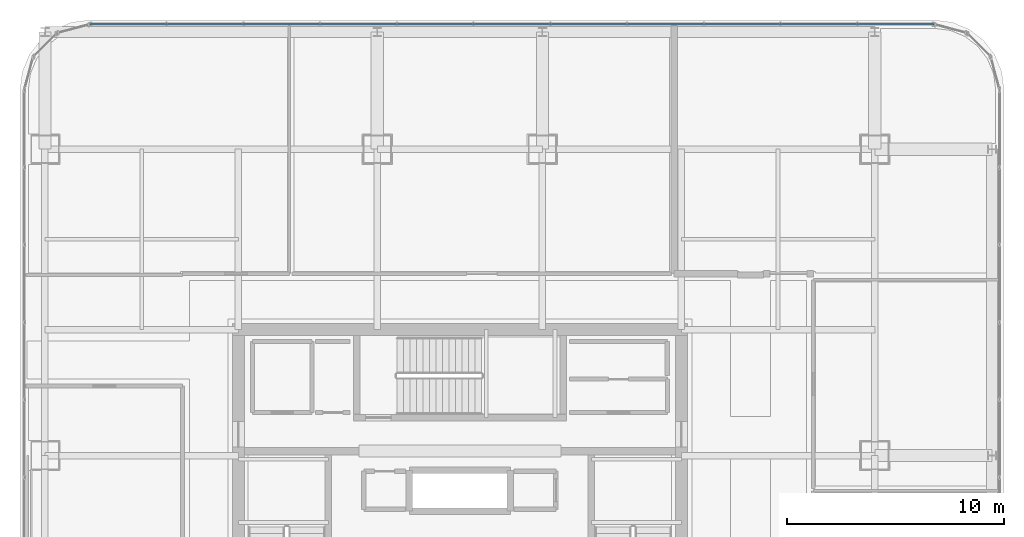
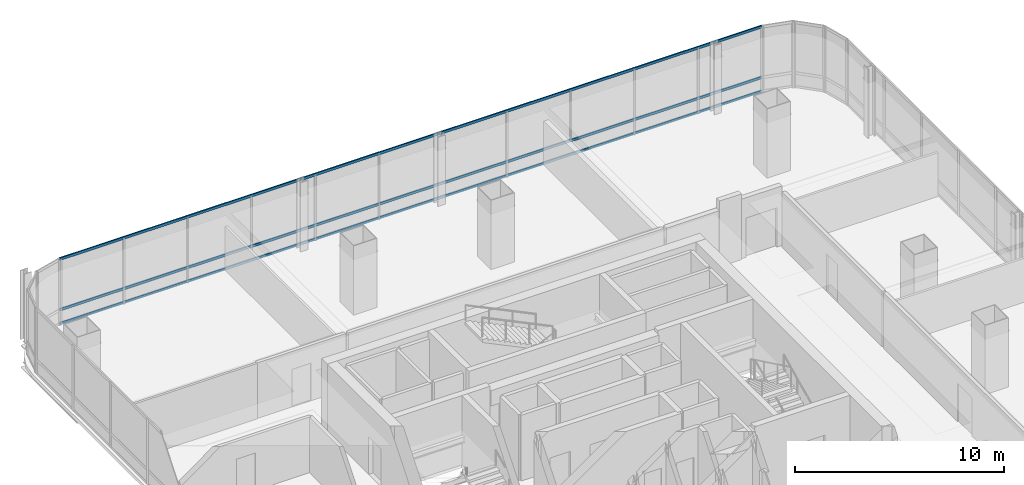
# One storey, part 28 of 40: 3 members, 1 element without a shape of its own.
"""IFC4 building model written with IfcOpenShell, lengths in metres."""

import ifcopenshell
import ifcopenshell.guid

model = None  # the IFC model being written
_history = None  # IfcOwnerHistory: only IFC2X3 demands one
_inside = {}  # id of a spatial element -> (the spatial element, [elements in it])
_under = {}  # id of a project, library or spatial element -> (it, [spatial elements below it])
_declared = {}  # id of a project -> (the project, [libraries it declares])
_typed = {}  # id of a type object -> (the type object, [elements of that type])
_made_of = {}  # id of a material, layer set ... -> (it, [elements and type objects made of it])


def new_model(schema):
    """Start an empty IFC model of exactly this schema.

    Asked for "IFC4X3", IfcOpenShell would pick the latest addendum, in which some entities
    have other attributes; the version numbers below select the first issue.
    IFC2X3 requires an IfcOwnerHistory on every rooted entity: one is made here for all.
    """
    global model, _history
    if schema == "IFC4X3":
        model = ifcopenshell.file(schema_version=(4, 3, 0, 0))
    else:
        model = ifcopenshell.file(schema=schema)
    _inside.clear()
    _under.clear()
    _declared.clear()
    _typed.clear()
    _made_of.clear()
    _history = None
    if model.schema == "IFC2X3":
        org = make("IfcOrganization", Name="unknown")
        user = make(
            "IfcPersonAndOrganization",
            ThePerson=make("IfcPerson", FamilyName="unknown"),
            TheOrganization=org,
        )
        app = make(
            "IfcApplication",
            ApplicationDeveloper=org,
            Version="unknown",
            ApplicationFullName="unknown",
            ApplicationIdentifier="unknown",
        )
        _history = make(
            "IfcOwnerHistory",
            OwningUser=user,
            OwningApplication=app,
            ChangeAction="ADDED",
            CreationDate=0,
        )
    return model


def make(cls, **values):
    """One entity of the class cls with the attributes given. An attribute that is None is left unset."""
    return model.create_entity(
        cls, **{name: value for name, value in values.items() if value is not None}
    )


def rooted(cls, **values):
    """An entity with a GlobalId (a new one), such as an element, a storey or a relation."""
    return make(cls, GlobalId=ifcopenshell.guid.new(), OwnerHistory=_history, **values)


def si_unit(unit_type, name, prefix=None):
    """IfcSIUnit, for example si_unit("LENGTHUNIT", "METRE", prefix="MILLI")."""
    return make("IfcSIUnit", UnitType=unit_type, Prefix=prefix, Name=name)


def assignment(units):
    """IfcUnitAssignment: the units of a project."""
    return None if units is None else make("IfcUnitAssignment", Units=units)


def point(xyz):
    """IfcCartesianPoint."""
    return None if xyz is None else make("IfcCartesianPoint", Coordinates=xyz)


def direction(xyz):
    """IfcDirection."""
    return None if xyz is None else make("IfcDirection", DirectionRatios=xyz)


def frame(location, z_axis=None, x_axis=None):
    """IfcAxis2Placement3D, a coordinate frame: its origin and axes. An axis left out is left unset."""
    return make(
        "IfcAxis2Placement3D",
        Location=point(location),
        Axis=direction(z_axis),
        RefDirection=direction(x_axis),
    )


def frame_2d(location, x_axis=None):
    """IfcAxis2Placement2D, a coordinate frame in the plane: its origin and x axis."""
    return make(
        "IfcAxis2Placement2D", Location=point(location), RefDirection=direction(x_axis)
    )


def origin():
    """The frame at (0, 0, 0) with its axes left unset."""
    return frame((0.0, 0.0, 0.0))


def origin_2d():
    """The frame at (0, 0) in the plane with its x axis left unset."""
    return frame_2d((0.0, 0.0))


def place(relative_to, where):
    """IfcLocalPlacement: puts the frame where relative to a parent placement (None: the world)."""
    return make(
        "IfcLocalPlacement", PlacementRelTo=relative_to, RelativePlacement=where
    )


def context(
    kind, dimensions, precision=None, world=None, true_north=None, identifier=None
):
    """IfcGeometricRepresentationContext, for example the 3D "Model" context."""
    return make(
        "IfcGeometricRepresentationContext",
        ContextIdentifier=identifier,
        ContextType=kind,
        CoordinateSpaceDimension=dimensions,
        Precision=precision,
        WorldCoordinateSystem=world,
        TrueNorth=true_north,
    )


def subcontext(parent, identifier, kind, view, scale=None):
    """IfcGeometricRepresentationSubContext, for example "Body" below "Model"."""
    return make(
        "IfcGeometricRepresentationSubContext",
        ContextIdentifier=identifier,
        ContextType=kind,
        ParentContext=parent,
        TargetScale=scale,
        TargetView=view,
    )


def project(units=None, contexts=None):
    """IfcProject with its units and contexts."""
    return rooted(
        "IfcProject",
        Name="project",
        RepresentationContexts=contexts,
        UnitsInContext=assignment(units),
    )


def spatial(cls, under=None, at=None, **own):
    """A site, building, storey or space (cls), placed at a placement, below another one or the project."""
    s = rooted(cls, ObjectPlacement=at, **own)
    if under is not None:
        _under.setdefault(under.id(), (under, []))[1].append(s)
    return s


def profile(cls, at=None, kind="AREA", **sizes):
    """A parametric profile (cls). Its sizes go by their IFC names, for example OverallWidth=200.0."""
    return make(cls, ProfileType=kind, Position=at, **sizes)


def hollow_rectangle(**sizes):
    """IfcRectangleHollowProfileDef."""
    return profile("IfcRectangleHollowProfileDef", **sizes)


def extrude(swept, where, along, depth):
    """IfcExtrudedAreaSolid: the profile swept, set in the frame where, extruded along a direction by depth."""
    return make(
        "IfcExtrudedAreaSolid",
        SweptArea=swept,
        Position=where,
        ExtrudedDirection=direction(along),
        Depth=depth,
    )


def shape(context_of_items, identifier, shape_type, items):
    """IfcShapeRepresentation: the items that make up one representation, for example the "Body"."""
    return make(
        "IfcShapeRepresentation",
        ContextOfItems=context_of_items,
        RepresentationIdentifier=identifier,
        RepresentationType=shape_type,
        Items=items,
    )


def material(Name=None, Category=None):
    """IfcMaterial."""
    return make("IfcMaterial", Name=Name, Category=Category)


def material_profile(
    of_material, cross_section, Name=None, Category=None, Priority=None
):
    """IfcMaterialProfile: a cross section and its material."""
    return make(
        "IfcMaterialProfile",
        Name=Name,
        Material=of_material,
        Profile=cross_section,
        Priority=Priority,
        Category=Category,
    )


def profile_set(profiles, Name=None, composite=None):
    """IfcMaterialProfileSet."""
    return make(
        "IfcMaterialProfileSet",
        Name=Name,
        MaterialProfiles=profiles,
        CompositeProfile=composite,
    )


def made_of(thing, what):
    """Note that an element or type object is made of a material, layer set ...; save() writes the relation."""
    if what is not None:
        _made_of.setdefault(what.id(), (what, []))[1].append(thing)
    return thing


def type_object(cls, material=None, **own):
    """A type object (cls), such as IfcWallType, which elements share."""
    return made_of(rooted(cls, **own), material)


def element(
    cls,
    number,
    at=None,
    inside=None,
    cuts=None,
    type_object=None,
    material=None,
    context=None,
    identifier="Body",
    shape_type=None,
    held_by="IfcProductDefinitionShape",
    body=None,
    shapes=None,
    **own,
):
    """One element of the class cls, such as IfcWall. Its Tag is "e" and its number.

    at: its placement. inside: the storey or other place that contains it. cuts: it is an
    opening in that element (IfcRelVoidsElement). A single representation is given by context,
    identifier, shape_type and body (its items); several are given by shapes. held_by: the class
    of the entity that holds the representations. save() writes the other relations.
    """
    e = rooted(cls, Tag="e%d" % number, ObjectPlacement=at, **own)
    if body is not None:
        shapes = [shape(context, identifier, shape_type, body)]
    if shapes is not None:
        e.Representation = make(held_by, Representations=shapes)
    if inside is not None:
        _inside.setdefault(inside.id(), (inside, []))[1].append(e)
    if cuts is not None:
        rooted(
            "IfcRelVoidsElement", RelatingBuildingElement=cuts, RelatedOpeningElement=e
        )
    if type_object is not None:
        _typed.setdefault(type_object.id(), (type_object, []))[1].append(e)
    return made_of(e, material)


def aggregate(whole, parts):
    """IfcRelAggregates: a whole, such as a stair, and the parts it consists of."""
    return rooted("IfcRelAggregates", RelatingObject=whole, RelatedObjects=parts)


def save(model, path):
    """Write the relations noted so far, then the file.

    IfcRelAggregates (storeys below a building ...), IfcRelContainedInSpatialStructure (elements
    in a storey), IfcRelDefinesByType, IfcRelAssociatesMaterial and IfcRelDeclares: one each for
    every whole, place, type object, material and project.
    """
    for whole, parts in _under.values():
        aggregate(whole, parts)
    for where, things in _inside.values():
        rooted(
            "IfcRelContainedInSpatialStructure",
            RelatedElements=things,
            RelatingStructure=where,
        )
    for kind, things in _typed.values():
        rooted("IfcRelDefinesByType", RelatedObjects=things, RelatingType=kind)
    for what, things in _made_of.values():
        rooted("IfcRelAssociatesMaterial", RelatedObjects=things, RelatingMaterial=what)
    for by, libraries in _declared.values():
        rooted("IfcRelDeclares", RelatingContext=by, RelatedDefinitions=libraries)
    model.write(path)


model = new_model("IFC4")

# Units and contexts
model_context = context("Model", 3, precision=1e-05, world=origin(), true_north=direction((0.0, 1.0)))
body_context = subcontext(model_context, "Body", "Model", "MODEL_VIEW")
ifc_project = project(units=[si_unit("LENGTHUNIT", "METRE"), si_unit("AREAUNIT", "SQUARE_METRE"), si_unit("VOLUMEUNIT", "CUBIC_METRE"), si_unit("PLANEANGLEUNIT", "RADIAN"), si_unit("MASSUNIT", "GRAM", prefix="KILO")], contexts=[model_context])

# Site, building, storey
site_placement = place(None, origin())
site = spatial("IfcSite", under=ifc_project, at=site_placement, CompositionType="ELEMENT")
building_placement = place(site_placement, origin())
building = spatial("IfcBuilding", under=site, at=building_placement, Name="Punatoya Terracotta Tower", CompositionType="ELEMENT")
storey_placement = place(building_placement, frame((0.0, 0.0, 271.64990234375)))
storey = spatial("IfcBuildingStorey", under=building, at=storey_placement, Name="L64", CompositionType="ELEMENT", Elevation=271.64990234375)

# Curtain wall, members
ifc_material_1 = material(Name="Aluminium 6063-T6 + Double Low-E Glass", Category="aluminium")
curtain_wall_type = type_object("IfcCurtainWallType", Name="CW-M3", PredefinedType="NOTDEFINED", material=ifc_material_1)
curtain_wall_placement = place(storey_placement, origin())
curtain_wall = element("IfcCurtainWall", 1, at=curtain_wall_placement, inside=storey, type_object=curtain_wall_type, Name="L64 Curtain Wall CW-L64-N09-1", PredefinedType="NOTDEFINED")
ifc_material_2 = material(Name="Aluminium 6063-T6", Category="aluminium")
ifc_material_profile = material_profile(ifc_material_2, hollow_rectangle(XDim=0.068115234375, YDim=0.14990234375, WallThickness=0.00390625, at=origin_2d()))
ifc_profile_set = profile_set([ifc_material_profile], Name="Aluminium 6063-T6")
member_type = type_object("IfcMemberType", Name="CW-TRN-TYP", PredefinedType="USERDEFINED", material=ifc_profile_set)
member_1_placement = place(storey_placement, frame((21.8369140625, 23.25, 0.0400390625), z_axis=(-1.0, 0.0, 0.0), x_axis=(0.0, -1.0, 0.0)))
member_1 = element("IfcMember", 2, at=member_1_placement, type_object=member_type, Name="CW-L64-N09-1 Transom 1", ObjectType="TRANSOM", PredefinedType="USERDEFINED", context=body_context, shape_type="SweptSolid", body=[
    extrude(hollow_rectangle(XDim=0.068115234375, YDim=0.14990234375, WallThickness=0.00390625, at=origin_2d()), origin(), (0.0, 0.0, 1.0), 38.873779296875),
])
member_2_placement = place(storey_placement, frame((21.8369140625, 23.25, 0.85009765625), z_axis=(-1.0, 0.0, 0.0), x_axis=(0.0, -1.0, 0.0)))
member_2 = element("IfcMember", 3, at=member_2_placement, type_object=member_type, Name="CW-L64-N09-1 Transom 2", ObjectType="TRANSOM", PredefinedType="USERDEFINED", context=body_context, shape_type="SweptSolid", body=[
    extrude(hollow_rectangle(XDim=0.068115234375, YDim=0.14990234375, WallThickness=0.00390625, at=origin_2d()), origin(), (0.0, 0.0, 1.0), 38.873779296875),
])
member_3_placement = place(storey_placement, frame((21.8369140625, 23.25, 3.81005859375), z_axis=(-1.0, 0.0, 0.0), x_axis=(0.0, -1.0, 0.0)))
member_3 = element("IfcMember", 4, at=member_3_placement, type_object=member_type, Name="CW-L64-N09-1 Transom 3", ObjectType="TRANSOM", PredefinedType="USERDEFINED", context=body_context, shape_type="SweptSolid", body=[
    extrude(hollow_rectangle(XDim=0.068115234375, YDim=0.14990234375, WallThickness=0.00390625, at=origin_2d()), origin(), (0.0, 0.0, 1.0), 38.873779296875),
])
aggregate(curtain_wall, [member_1, member_2, member_3])

save(model, "model.ifc")
